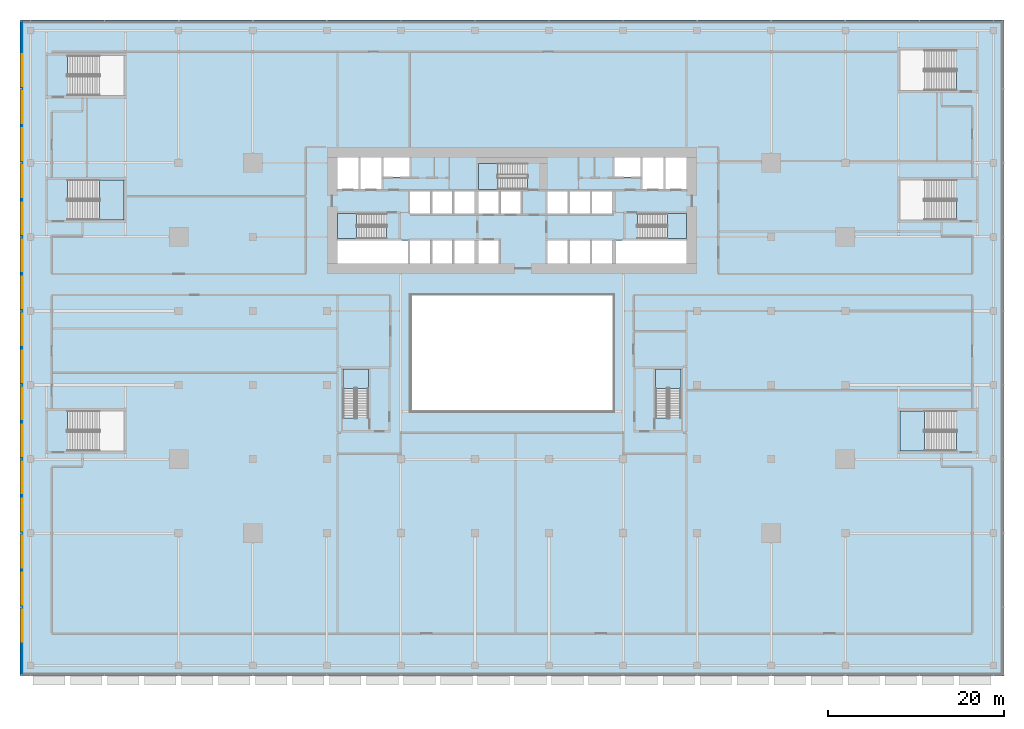
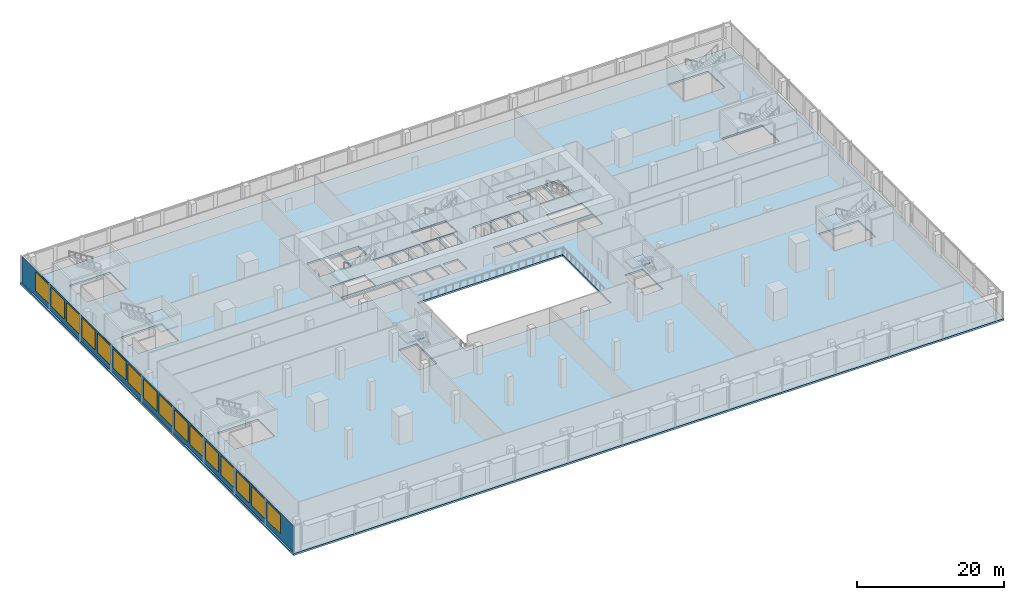
# One storey, part 23 of 39: 16 windows, 8 slabs, 1 plate, 16 openings, 8 elements without a shape of their own.
"""IFC4 building model written with IfcOpenShell, lengths in metres."""

from ifc_helpers import new_model, si_unit, direction, frame, frame_2d, origin, place, context, subcontext, project, spatial, polyline, rectangle, outline, extrude, material, layer, layer_set, type_object, element, fill, aggregate, save


model = new_model("IFC4")

# Units and contexts
model_context = context("Model", 3, precision=1e-05, world=origin(), true_north=direction((0.0, 1.0)))
body_context = subcontext(model_context, "Body", "Model", "MODEL_VIEW")
ifc_project = project(units=[si_unit("LENGTHUNIT", "METRE"), si_unit("AREAUNIT", "SQUARE_METRE"), si_unit("VOLUMEUNIT", "CUBIC_METRE"), si_unit("PLANEANGLEUNIT", "RADIAN"), si_unit("MASSUNIT", "GRAM", prefix="KILO")], contexts=[model_context])

# Site, building, storey
site_placement = place(None, origin())
site = spatial("IfcSite", under=ifc_project, at=site_placement, CompositionType="ELEMENT")
building_placement = place(site_placement, origin())
building = spatial("IfcBuilding", under=site, at=building_placement, Name="Saffron Gate Tower", CompositionType="ELEMENT")
storey_placement = place(building_placement, frame((0.0, 0.0, 14.39990234375)))
storey = spatial("IfcBuildingStorey", under=building, at=storey_placement, Name="L02", CompositionType="ELEMENT", Elevation=14.39990234375)

# Curtain wall, plate, openings, windows
ifc_material_1 = material(Name="Aluminium, bronze anodised", Category="aluminium")
curtain_wall_type = type_object("IfcCurtainWallType", Name="CWS5 curtain wall podium ring base", PredefinedType="NOTDEFINED", material=ifc_material_1)
curtain_wall_placement = place(storey_placement, origin())
curtain_wall = element("IfcCurtainWall", 1, at=curtain_wall_placement, inside=storey, type_object=curtain_wall_type, Name="CWS5 run 4", PredefinedType="NOTDEFINED")
ifc_material_2 = material(Name="Clear low-iron laminated glass", Category="glass")
ifc_layer_1 = layer(ifc_material_2, 0.028076171875)
ifc_layer_set_1 = layer_set([ifc_layer_1], Name="CWS5 fixed glass")
plate_type = type_object("IfcPlateType", Name="CWS5 fixed glass", PredefinedType="CURTAIN_PANEL", material=ifc_layer_set_1)
plate_placement = place(storey_placement, frame((32.013916015625, 89.77197265625, 0.0), z_axis=(0.0, 0.0, 1.0), x_axis=(0.0, -1.0, 0.0)))
plate = element("IfcPlate", 2, at=plate_placement, type_object=plate_type, Name="CWS5 glass panel", PredefinedType="CURTAIN_PANEL", context=body_context, shape_type="SweptSolid", body=[
    extrude(rectangle(XDim=73.944091796875, YDim=0.028076171875, at=frame_2d((36.97216796875, 0.0))), origin(), (0.0, 0.0, 1.0), 4.380126953125),
])
opening_1_placement = place(plate_placement, frame((3.672119140625, 0.0, 0.89990234375)))
opening_1 = element("IfcOpeningElement", 3, at=opening_1_placement, cuts=plate, Name="Opening W5", PredefinedType="OPENING", context=body_context, shape_type="SweptSolid", body=[
    extrude(rectangle(XDim=3.60009765625, YDim=3.1298828125, at=frame_2d((1.800048828125, 1.56494140625))), frame((0.0, 0.02392578125, 0.0), z_axis=(0.0, -1.0, 0.0), x_axis=(1.0, 0.0, 0.0)), (0.0, 0.0, 1.0), 0.048095703125),
])
opening_2_placement = place(plate_placement, frame((7.8720703125, 0.0, 0.89990234375)))
opening_2 = element("IfcOpeningElement", 4, at=opening_2_placement, cuts=plate, Name="Opening W5", PredefinedType="OPENING", context=body_context, shape_type="SweptSolid", body=[
    extrude(rectangle(XDim=3.60009765625, YDim=3.1298828125, at=frame_2d((1.800048828125, 1.56494140625))), frame((0.0, 0.02392578125, 0.0), z_axis=(0.0, -1.0, 0.0), x_axis=(1.0, 0.0, 0.0)), (0.0, 0.0, 1.0), 0.048095703125),
])
opening_3_placement = place(plate_placement, frame((12.072021484375, 0.0, 0.89990234375)))
opening_3 = element("IfcOpeningElement", 5, at=opening_3_placement, cuts=plate, Name="Opening W5", PredefinedType="OPENING", context=body_context, shape_type="SweptSolid", body=[
    extrude(rectangle(XDim=3.60009765625, YDim=3.1298828125, at=frame_2d((1.800048828125, 1.56494140625))), frame((0.0, 0.02392578125, 0.0), z_axis=(0.0, -1.0, 0.0), x_axis=(1.0, 0.0, 0.0)), (0.0, 0.0, 1.0), 0.048095703125),
])
opening_4_placement = place(plate_placement, frame((16.27197265625, 0.0, 0.89990234375)))
opening_4 = element("IfcOpeningElement", 6, at=opening_4_placement, cuts=plate, Name="Opening W5", PredefinedType="OPENING", context=body_context, shape_type="SweptSolid", body=[
    extrude(rectangle(XDim=3.60009765625, YDim=3.1298828125, at=frame_2d((1.800048828125, 1.56494140625))), frame((0.0, 0.02392578125, 0.0), z_axis=(0.0, -1.0, 0.0), x_axis=(1.0, 0.0, 0.0)), (0.0, 0.0, 1.0), 0.048095703125),
])
opening_5_placement = place(plate_placement, frame((20.471923828125, 0.0, 0.89990234375)))
opening_5 = element("IfcOpeningElement", 7, at=opening_5_placement, cuts=plate, Name="Opening W5", PredefinedType="OPENING", context=body_context, shape_type="SweptSolid", body=[
    extrude(rectangle(XDim=3.60009765625, YDim=3.1298828125, at=frame_2d((1.800048828125, 1.56494140625))), frame((0.0, 0.02392578125, 0.0), z_axis=(0.0, -1.0, 0.0), x_axis=(1.0, 0.0, 0.0)), (0.0, 0.0, 1.0), 0.048095703125),
])
opening_6_placement = place(plate_placement, frame((24.672119140625, 0.0, 0.89990234375)))
opening_6 = element("IfcOpeningElement", 8, at=opening_6_placement, cuts=plate, Name="Opening W5", PredefinedType="OPENING", context=body_context, shape_type="SweptSolid", body=[
    extrude(rectangle(XDim=3.60009765625, YDim=3.1298828125, at=frame_2d((1.800048828125, 1.56494140625))), frame((0.0, 0.02392578125, 0.0), z_axis=(0.0, -1.0, 0.0), x_axis=(1.0, 0.0, 0.0)), (0.0, 0.0, 1.0), 0.048095703125),
])
opening_7_placement = place(plate_placement, frame((28.8720703125, 0.0, 0.89990234375)))
opening_7 = element("IfcOpeningElement", 9, at=opening_7_placement, cuts=plate, Name="Opening W5", PredefinedType="OPENING", context=body_context, shape_type="SweptSolid", body=[
    extrude(rectangle(XDim=3.60009765625, YDim=3.1298828125, at=frame_2d((1.800048828125, 1.56494140625))), frame((0.0, 0.02392578125, 0.0), z_axis=(0.0, -1.0, 0.0), x_axis=(1.0, 0.0, 0.0)), (0.0, 0.0, 1.0), 0.048095703125),
])
opening_8_placement = place(plate_placement, frame((33.072021484375, 0.0, 0.89990234375)))
opening_8 = element("IfcOpeningElement", 10, at=opening_8_placement, cuts=plate, Name="Opening W5", PredefinedType="OPENING", context=body_context, shape_type="SweptSolid", body=[
    extrude(rectangle(XDim=3.60009765625, YDim=3.1298828125, at=frame_2d((1.800048828125, 1.56494140625))), frame((0.0, 0.02392578125, 0.0), z_axis=(0.0, -1.0, 0.0), x_axis=(1.0, 0.0, 0.0)), (0.0, 0.0, 1.0), 0.048095703125),
])
opening_9_placement = place(plate_placement, frame((37.27197265625, 0.0, 0.89990234375)))
opening_9 = element("IfcOpeningElement", 11, at=opening_9_placement, cuts=plate, Name="Opening W5", PredefinedType="OPENING", context=body_context, shape_type="SweptSolid", body=[
    extrude(rectangle(XDim=3.60009765625, YDim=3.1298828125, at=frame_2d((1.800048828125, 1.56494140625))), frame((0.0, 0.02392578125, 0.0), z_axis=(0.0, -1.0, 0.0), x_axis=(1.0, 0.0, 0.0)), (0.0, 0.0, 1.0), 0.048095703125),
])
opening_10_placement = place(plate_placement, frame((41.471923828125, 0.0, 0.89990234375)))
opening_10 = element("IfcOpeningElement", 12, at=opening_10_placement, cuts=plate, Name="Opening W5", PredefinedType="OPENING", context=body_context, shape_type="SweptSolid", body=[
    extrude(rectangle(XDim=3.60009765625, YDim=3.1298828125, at=frame_2d((1.800048828125, 1.56494140625))), frame((0.0, 0.02392578125, 0.0), z_axis=(0.0, -1.0, 0.0), x_axis=(1.0, 0.0, 0.0)), (0.0, 0.0, 1.0), 0.048095703125),
])
opening_11_placement = place(plate_placement, frame((45.672119140625, 0.0, 0.89990234375)))
opening_11 = element("IfcOpeningElement", 13, at=opening_11_placement, cuts=plate, Name="Opening W5", PredefinedType="OPENING", context=body_context, shape_type="SweptSolid", body=[
    extrude(rectangle(XDim=3.60009765625, YDim=3.1298828125, at=frame_2d((1.800048828125, 1.56494140625))), frame((0.0, 0.02392578125, 0.0), z_axis=(0.0, -1.0, 0.0), x_axis=(1.0, 0.0, 0.0)), (0.0, 0.0, 1.0), 0.048095703125),
])
opening_12_placement = place(plate_placement, frame((49.8720703125, 0.0, 0.89990234375)))
opening_12 = element("IfcOpeningElement", 14, at=opening_12_placement, cuts=plate, Name="Opening W5", PredefinedType="OPENING", context=body_context, shape_type="SweptSolid", body=[
    extrude(rectangle(XDim=3.60009765625, YDim=3.1298828125, at=frame_2d((1.800048828125, 1.56494140625))), frame((0.0, 0.02392578125, 0.0), z_axis=(0.0, -1.0, 0.0), x_axis=(1.0, 0.0, 0.0)), (0.0, 0.0, 1.0), 0.048095703125),
])
opening_13_placement = place(plate_placement, frame((54.072021484375, 0.0, 0.89990234375)))
opening_13 = element("IfcOpeningElement", 15, at=opening_13_placement, cuts=plate, Name="Opening W5", PredefinedType="OPENING", context=body_context, shape_type="SweptSolid", body=[
    extrude(rectangle(XDim=3.60009765625, YDim=3.1298828125, at=frame_2d((1.800048828125, 1.56494140625))), frame((0.0, 0.02392578125, 0.0), z_axis=(0.0, -1.0, 0.0), x_axis=(1.0, 0.0, 0.0)), (0.0, 0.0, 1.0), 0.048095703125),
])
opening_14_placement = place(plate_placement, frame((58.27197265625, 0.0, 0.89990234375)))
opening_14 = element("IfcOpeningElement", 16, at=opening_14_placement, cuts=plate, Name="Opening W5", PredefinedType="OPENING", context=body_context, shape_type="SweptSolid", body=[
    extrude(rectangle(XDim=3.60009765625, YDim=3.1298828125, at=frame_2d((1.800048828125, 1.56494140625))), frame((0.0, 0.02392578125, 0.0), z_axis=(0.0, -1.0, 0.0), x_axis=(1.0, 0.0, 0.0)), (0.0, 0.0, 1.0), 0.048095703125),
])
opening_15_placement = place(plate_placement, frame((62.471923828125, 0.0, 0.89990234375)))
opening_15 = element("IfcOpeningElement", 17, at=opening_15_placement, cuts=plate, Name="Opening W5", PredefinedType="OPENING", context=body_context, shape_type="SweptSolid", body=[
    extrude(rectangle(XDim=3.60009765625, YDim=3.1298828125, at=frame_2d((1.800048828125, 1.56494140625))), frame((0.0, 0.02392578125, 0.0), z_axis=(0.0, -1.0, 0.0), x_axis=(1.0, 0.0, 0.0)), (0.0, 0.0, 1.0), 0.048095703125),
])
opening_16_placement = place(plate_placement, frame((66.672119140625, 0.0, 0.89990234375)))
opening_16 = element("IfcOpeningElement", 18, at=opening_16_placement, cuts=plate, Name="Opening W5", PredefinedType="OPENING", context=body_context, shape_type="SweptSolid", body=[
    extrude(rectangle(XDim=3.60009765625, YDim=3.1298828125, at=frame_2d((1.800048828125, 1.56494140625))), frame((0.0, 0.02392578125, 0.0), z_axis=(0.0, -1.0, 0.0), x_axis=(1.0, 0.0, 0.0)), (0.0, 0.0, 1.0), 0.048095703125),
])
ifc_material_3 = material(Name="Fritted bronze-tinted laminated glass in bronze frame", Category="glass")
ifc_layer_2 = layer(ifc_material_3, 0.06005859375)
ifc_layer_set_2 = layer_set([ifc_layer_2], Name="W5 operable panel 3600x3130")
window_type = type_object("IfcWindowType", Name="W5 operable panel 3600x3130", PartitioningType="DOUBLE_PANEL_HORIZONTAL", PredefinedType="WINDOW", material=ifc_layer_set_2)
window_1_placement = place(opening_1_placement, origin())
window_1 = element("IfcWindow", 19, at=window_1_placement, type_object=window_type, Name="W5 operable panel", OverallHeight=3.1298828125, OverallWidth=3.60009765625, PartitioningType="SINGLE_PANEL", PredefinedType="WINDOW", context=body_context, shape_type="SweptSolid", body=[
    extrude(rectangle(XDim=3.60009765625, YDim=3.1298828125, at=frame_2d((1.800048828125, 1.56494140625))), frame((0.0, 0.013671875, 0.0), z_axis=(0.0, -1.0, 0.0), x_axis=(1.0, 0.0, 0.0)), (0.0, 0.0, 1.0), 0.027587890625),
])
fill(opening_1, window_1)
window_2_placement = place(opening_2_placement, origin())
window_2 = element("IfcWindow", 20, at=window_2_placement, type_object=window_type, Name="W5 operable panel", OverallHeight=3.1298828125, OverallWidth=3.60009765625, PartitioningType="SINGLE_PANEL", PredefinedType="WINDOW", context=body_context, shape_type="SweptSolid", body=[
    extrude(rectangle(XDim=3.60009765625, YDim=3.1298828125, at=frame_2d((1.800048828125, 1.56494140625))), frame((0.0, 0.013671875, 0.0), z_axis=(0.0, -1.0, 0.0), x_axis=(1.0, 0.0, 0.0)), (0.0, 0.0, 1.0), 0.027587890625),
])
fill(opening_2, window_2)
window_3_placement = place(opening_3_placement, origin())
window_3 = element("IfcWindow", 21, at=window_3_placement, type_object=window_type, Name="W5 operable panel", OverallHeight=3.1298828125, OverallWidth=3.60009765625, PartitioningType="SINGLE_PANEL", PredefinedType="WINDOW", context=body_context, shape_type="SweptSolid", body=[
    extrude(rectangle(XDim=3.60009765625, YDim=3.1298828125, at=frame_2d((1.800048828125, 1.56494140625))), frame((0.0, 0.013671875, 0.0), z_axis=(0.0, -1.0, 0.0), x_axis=(1.0, 0.0, 0.0)), (0.0, 0.0, 1.0), 0.027587890625),
])
fill(opening_3, window_3)
window_4_placement = place(opening_4_placement, origin())
window_4 = element("IfcWindow", 22, at=window_4_placement, type_object=window_type, Name="W5 operable panel", OverallHeight=3.1298828125, OverallWidth=3.60009765625, PartitioningType="SINGLE_PANEL", PredefinedType="WINDOW", context=body_context, shape_type="SweptSolid", body=[
    extrude(rectangle(XDim=3.60009765625, YDim=3.1298828125, at=frame_2d((1.800048828125, 1.56494140625))), frame((0.0, 0.013671875, 0.0), z_axis=(0.0, -1.0, 0.0), x_axis=(1.0, 0.0, 0.0)), (0.0, 0.0, 1.0), 0.027587890625),
])
fill(opening_4, window_4)
window_5_placement = place(opening_5_placement, origin())
window_5 = element("IfcWindow", 23, at=window_5_placement, type_object=window_type, Name="W5 operable panel", OverallHeight=3.1298828125, OverallWidth=3.60009765625, PartitioningType="SINGLE_PANEL", PredefinedType="WINDOW", context=body_context, shape_type="SweptSolid", body=[
    extrude(rectangle(XDim=3.60009765625, YDim=3.1298828125, at=frame_2d((1.800048828125, 1.56494140625))), frame((0.0, 0.013671875, 0.0), z_axis=(0.0, -1.0, 0.0), x_axis=(1.0, 0.0, 0.0)), (0.0, 0.0, 1.0), 0.027587890625),
])
fill(opening_5, window_5)
window_6_placement = place(opening_6_placement, origin())
window_6 = element("IfcWindow", 24, at=window_6_placement, type_object=window_type, Name="W5 operable panel", OverallHeight=3.1298828125, OverallWidth=3.60009765625, PartitioningType="SINGLE_PANEL", PredefinedType="WINDOW", context=body_context, shape_type="SweptSolid", body=[
    extrude(rectangle(XDim=3.60009765625, YDim=3.1298828125, at=frame_2d((1.800048828125, 1.56494140625))), frame((0.0, 0.013671875, 0.0), z_axis=(0.0, -1.0, 0.0), x_axis=(1.0, 0.0, 0.0)), (0.0, 0.0, 1.0), 0.027587890625),
])
fill(opening_6, window_6)
window_7_placement = place(opening_7_placement, origin())
window_7 = element("IfcWindow", 25, at=window_7_placement, type_object=window_type, Name="W5 operable panel", OverallHeight=3.1298828125, OverallWidth=3.60009765625, PartitioningType="SINGLE_PANEL", PredefinedType="WINDOW", context=body_context, shape_type="SweptSolid", body=[
    extrude(rectangle(XDim=3.60009765625, YDim=3.1298828125, at=frame_2d((1.800048828125, 1.56494140625))), frame((0.0, 0.013671875, 0.0), z_axis=(0.0, -1.0, 0.0), x_axis=(1.0, 0.0, 0.0)), (0.0, 0.0, 1.0), 0.027587890625),
])
fill(opening_7, window_7)
window_8_placement = place(opening_8_placement, origin())
window_8 = element("IfcWindow", 26, at=window_8_placement, type_object=window_type, Name="W5 operable panel", OverallHeight=3.1298828125, OverallWidth=3.60009765625, PartitioningType="SINGLE_PANEL", PredefinedType="WINDOW", context=body_context, shape_type="SweptSolid", body=[
    extrude(rectangle(XDim=3.60009765625, YDim=3.1298828125, at=frame_2d((1.800048828125, 1.56494140625))), frame((0.0, 0.013671875, 0.0), z_axis=(0.0, -1.0, 0.0), x_axis=(1.0, 0.0, 0.0)), (0.0, 0.0, 1.0), 0.027587890625),
])
fill(opening_8, window_8)
window_9_placement = place(opening_9_placement, origin())
window_9 = element("IfcWindow", 27, at=window_9_placement, type_object=window_type, Name="W5 operable panel", OverallHeight=3.1298828125, OverallWidth=3.60009765625, PartitioningType="SINGLE_PANEL", PredefinedType="WINDOW", context=body_context, shape_type="SweptSolid", body=[
    extrude(rectangle(XDim=3.60009765625, YDim=3.1298828125, at=frame_2d((1.800048828125, 1.56494140625))), frame((0.0, 0.013671875, 0.0), z_axis=(0.0, -1.0, 0.0), x_axis=(1.0, 0.0, 0.0)), (0.0, 0.0, 1.0), 0.027587890625),
])
fill(opening_9, window_9)
window_10_placement = place(opening_10_placement, origin())
window_10 = element("IfcWindow", 28, at=window_10_placement, type_object=window_type, Name="W5 operable panel", OverallHeight=3.1298828125, OverallWidth=3.60009765625, PartitioningType="SINGLE_PANEL", PredefinedType="WINDOW", context=body_context, shape_type="SweptSolid", body=[
    extrude(rectangle(XDim=3.60009765625, YDim=3.1298828125, at=frame_2d((1.800048828125, 1.56494140625))), frame((0.0, 0.013671875, 0.0), z_axis=(0.0, -1.0, 0.0), x_axis=(1.0, 0.0, 0.0)), (0.0, 0.0, 1.0), 0.027587890625),
])
fill(opening_10, window_10)
window_11_placement = place(opening_11_placement, origin())
window_11 = element("IfcWindow", 29, at=window_11_placement, type_object=window_type, Name="W5 operable panel", OverallHeight=3.1298828125, OverallWidth=3.60009765625, PartitioningType="SINGLE_PANEL", PredefinedType="WINDOW", context=body_context, shape_type="SweptSolid", body=[
    extrude(rectangle(XDim=3.60009765625, YDim=3.1298828125, at=frame_2d((1.800048828125, 1.56494140625))), frame((0.0, 0.013671875, 0.0), z_axis=(0.0, -1.0, 0.0), x_axis=(1.0, 0.0, 0.0)), (0.0, 0.0, 1.0), 0.027587890625),
])
fill(opening_11, window_11)
window_12_placement = place(opening_12_placement, origin())
window_12 = element("IfcWindow", 30, at=window_12_placement, type_object=window_type, Name="W5 operable panel", OverallHeight=3.1298828125, OverallWidth=3.60009765625, PartitioningType="SINGLE_PANEL", PredefinedType="WINDOW", context=body_context, shape_type="SweptSolid", body=[
    extrude(rectangle(XDim=3.60009765625, YDim=3.1298828125, at=frame_2d((1.800048828125, 1.56494140625))), frame((0.0, 0.013671875, 0.0), z_axis=(0.0, -1.0, 0.0), x_axis=(1.0, 0.0, 0.0)), (0.0, 0.0, 1.0), 0.027587890625),
])
fill(opening_12, window_12)
window_13_placement = place(opening_13_placement, origin())
window_13 = element("IfcWindow", 31, at=window_13_placement, type_object=window_type, Name="W5 operable panel", OverallHeight=3.1298828125, OverallWidth=3.60009765625, PartitioningType="SINGLE_PANEL", PredefinedType="WINDOW", context=body_context, shape_type="SweptSolid", body=[
    extrude(rectangle(XDim=3.60009765625, YDim=3.1298828125, at=frame_2d((1.800048828125, 1.56494140625))), frame((0.0, 0.013671875, 0.0), z_axis=(0.0, -1.0, 0.0), x_axis=(1.0, 0.0, 0.0)), (0.0, 0.0, 1.0), 0.027587890625),
])
fill(opening_13, window_13)
window_14_placement = place(opening_14_placement, origin())
window_14 = element("IfcWindow", 32, at=window_14_placement, type_object=window_type, Name="W5 operable panel", OverallHeight=3.1298828125, OverallWidth=3.60009765625, PartitioningType="SINGLE_PANEL", PredefinedType="WINDOW", context=body_context, shape_type="SweptSolid", body=[
    extrude(rectangle(XDim=3.60009765625, YDim=3.1298828125, at=frame_2d((1.800048828125, 1.56494140625))), frame((0.0, 0.013671875, 0.0), z_axis=(0.0, -1.0, 0.0), x_axis=(1.0, 0.0, 0.0)), (0.0, 0.0, 1.0), 0.027587890625),
])
fill(opening_14, window_14)
window_15_placement = place(opening_15_placement, origin())
window_15 = element("IfcWindow", 33, at=window_15_placement, type_object=window_type, Name="W5 operable panel", OverallHeight=3.1298828125, OverallWidth=3.60009765625, PartitioningType="SINGLE_PANEL", PredefinedType="WINDOW", context=body_context, shape_type="SweptSolid", body=[
    extrude(rectangle(XDim=3.60009765625, YDim=3.1298828125, at=frame_2d((1.800048828125, 1.56494140625))), frame((0.0, 0.013671875, 0.0), z_axis=(0.0, -1.0, 0.0), x_axis=(1.0, 0.0, 0.0)), (0.0, 0.0, 1.0), 0.027587890625),
])
fill(opening_15, window_15)
window_16_placement = place(opening_16_placement, origin())
window_16 = element("IfcWindow", 34, at=window_16_placement, type_object=window_type, Name="W5 operable panel", OverallHeight=3.1298828125, OverallWidth=3.60009765625, PartitioningType="SINGLE_PANEL", PredefinedType="WINDOW", context=body_context, shape_type="SweptSolid", body=[
    extrude(rectangle(XDim=3.60009765625, YDim=3.1298828125, at=frame_2d((1.800048828125, 1.56494140625))), frame((0.0, 0.013671875, 0.0), z_axis=(0.0, -1.0, 0.0), x_axis=(1.0, 0.0, 0.0)), (0.0, 0.0, 1.0), 0.027587890625),
])
fill(opening_16, window_16)
aggregate(curtain_wall, [plate, window_1, window_2, window_3, window_4, window_5, window_6, window_7, window_8, window_9, window_10, window_11, window_12, window_13, window_14, window_15, window_16])

# Slab
ifc_material_4 = material(Name="Concrete C40", Category="concrete")
ifc_layer_3 = layer(ifc_material_4, 0.300048828125)
ifc_layer_set_3 = layer_set([ifc_layer_3], Name="S3 FLOOR SLAB 300 CONCRETE C40")
slab_type_1 = type_object("IfcSlabType", Name="S3 FLOOR SLAB 300 CONCRETE C40", PredefinedType="FLOOR", material=ifc_layer_set_3)
slab_1_placement = place(storey_placement, frame((0.0, 0.0, -0.2998046875)))
element("IfcSlab", 35, at=slab_1_placement, inside=storey, type_object=slab_type_1, Name="S3 FLOOR SLAB", PredefinedType="FLOOR", context=body_context, shape_type="SweptSolid", body=[
    extrude(outline(polyline([(31.800048828125, 15.60009765625), (143.39990234375, 15.60009765625), (143.39990234375, 90.0), (31.800048828125, 90.0), (31.800048828125, 15.60009765625)]), holes=[polyline([(37.200927734375, 43.47509765625), (37.200927734375, 45.675048828125), (43.60009765625, 45.675048828125), (43.60009765625, 41.125), (37.300048828125, 41.125), (37.300048828125, 43.47509765625), (37.200927734375, 43.47509765625)]), polyline([(37.200927734375, 69.675048828125), (37.200927734375, 71.875), (43.60009765625, 71.875), (43.60009765625, 67.324951171875), (37.300048828125, 67.324951171875), (37.300048828125, 69.675048828125), (37.200927734375, 69.675048828125)]), polyline([(37.200927734375, 83.77490234375), (37.200927734375, 85.97509765625), (43.60009765625, 85.97509765625), (43.60009765625, 81.425048828125), (37.300048828125, 81.425048828125), (37.300048828125, 83.77490234375), (37.200927734375, 83.77490234375)]), polyline([(67.800048828125, 62.39990234375), (67.800048828125, 65.0), (75.800048828125, 65.0), (75.800048828125, 62.39990234375), (67.800048828125, 62.39990234375)]), polyline([(67.800048828125, 65.199951171875), (67.800048828125, 68.050048828125), (73.25, 68.050048828125), (73.25, 66.550048828125), (73.34912109375, 66.550048828125), (73.34912109375, 65.199951171875), (67.800048828125, 65.199951171875)]), polyline([(67.800048828125, 70.800048828125), (67.800048828125, 74.39990234375), (70.199951171875, 74.39990234375), (70.199951171875, 70.800048828125), (67.800048828125, 70.800048828125)]), polyline([(68.449951171875, 44.85107421875), (68.449951171875, 50.39990234375), (71.300048828125, 50.39990234375), (71.300048828125, 44.949951171875), (69.800048828125, 44.949951171875), (69.800048828125, 44.85107421875), (68.449951171875, 44.85107421875)]), polyline([(70.39990234375, 70.800048828125), (70.39990234375, 74.39990234375), (72.800048828125, 74.39990234375), (72.800048828125, 70.800048828125), (70.39990234375, 70.800048828125)]), polyline([(73.0, 72.199951171875), (73.0, 74.39990234375), (76.0, 74.39990234375), (76.0, 72.199951171875), (73.0, 72.199951171875)]), polyline([(76.050048828125, 62.39990234375), (76.050048828125, 65.0), (78.35009765625, 65.0), (78.35009765625, 62.39990234375), (76.050048828125, 62.39990234375)]), polyline([(76.050048828125, 68.0), (76.050048828125, 70.60009765625), (78.35009765625, 70.60009765625), (78.35009765625, 68.0), (76.050048828125, 68.0)]), polyline([(76.199951171875, 45.60009765625), (76.199951171875, 58.800048828125), (99.0, 58.800048828125), (99.0, 45.60009765625), (76.199951171875, 45.60009765625)]), polyline([(78.550048828125, 62.39990234375), (78.550048828125, 65.0), (80.85009765625, 65.0), (80.85009765625, 62.39990234375), (78.550048828125, 62.39990234375)]), polyline([(78.550048828125, 68.0), (78.550048828125, 70.60009765625), (80.85009765625, 70.60009765625), (80.85009765625, 68.0), (78.550048828125, 68.0)]), polyline([(81.050048828125, 62.39990234375), (81.050048828125, 65.0), (83.35009765625, 65.0), (83.35009765625, 62.39990234375), (81.050048828125, 62.39990234375)]), polyline([(81.050048828125, 68.0), (81.050048828125, 70.60009765625), (83.35009765625, 70.60009765625), (83.35009765625, 68.0), (81.050048828125, 68.0)]), polyline([(83.800048828125, 62.39990234375), (83.800048828125, 65.0), (86.10009765625, 65.0), (86.10009765625, 62.39990234375), (83.800048828125, 62.39990234375)]), polyline([(83.800048828125, 68.0), (83.800048828125, 70.60009765625), (86.10009765625, 70.60009765625), (86.10009765625, 68.0), (83.800048828125, 68.0)]), polyline([(83.800048828125, 70.800048828125), (83.800048828125, 73.75), (89.25, 73.75), (89.25, 72.14990234375), (89.34912109375, 72.14990234375), (89.34912109375, 70.800048828125), (83.800048828125, 70.800048828125)]), polyline([(86.300048828125, 68.0), (86.300048828125, 70.60009765625), (88.60009765625, 70.60009765625), (88.60009765625, 68.0), (86.300048828125, 68.0)]), polyline([(91.64990234375, 62.39990234375), (91.64990234375, 65.0), (93.949951171875, 65.0), (93.949951171875, 62.39990234375), (91.64990234375, 62.39990234375)]), polyline([(91.64990234375, 68.0), (91.64990234375, 70.60009765625), (93.949951171875, 70.60009765625), (93.949951171875, 68.0), (91.64990234375, 68.0)]), polyline([(94.14990234375, 62.39990234375), (94.14990234375, 65.0), (96.449951171875, 65.0), (96.449951171875, 62.39990234375), (94.14990234375, 62.39990234375)]), polyline([(94.14990234375, 68.0), (94.14990234375, 70.60009765625), (96.449951171875, 70.60009765625), (96.449951171875, 68.0), (94.14990234375, 68.0)]), polyline([(96.64990234375, 62.39990234375), (96.64990234375, 65.0), (98.949951171875, 65.0), (98.949951171875, 62.39990234375), (96.64990234375, 62.39990234375)]), polyline([(96.64990234375, 68.0), (96.64990234375, 70.60009765625), (98.949951171875, 70.60009765625), (98.949951171875, 68.0), (96.64990234375, 68.0)]), polyline([(99.199951171875, 72.199951171875), (99.199951171875, 74.39990234375), (102.199951171875, 74.39990234375), (102.199951171875, 72.199951171875), (99.199951171875, 72.199951171875)]), polyline([(99.39990234375, 62.39990234375), (99.39990234375, 65.0), (107.39990234375, 65.0), (107.39990234375, 62.39990234375), (99.39990234375, 62.39990234375)]), polyline([(101.85107421875, 66.699951171875), (101.85107421875, 68.050048828125), (107.39990234375, 68.050048828125), (107.39990234375, 65.199951171875), (101.949951171875, 65.199951171875), (101.949951171875, 66.699951171875), (101.85107421875, 66.699951171875)]), polyline([(102.39990234375, 70.800048828125), (102.39990234375, 74.39990234375), (104.800048828125, 74.39990234375), (104.800048828125, 70.800048828125), (102.39990234375, 70.800048828125)]), polyline([(103.89990234375, 44.85107421875), (103.89990234375, 50.39990234375), (106.75, 50.39990234375), (106.75, 44.949951171875), (105.25, 44.949951171875), (105.25, 44.85107421875), (103.89990234375, 44.85107421875)]), polyline([(105.0, 70.800048828125), (105.0, 74.39990234375), (107.39990234375, 74.39990234375), (107.39990234375, 70.800048828125), (105.0, 70.800048828125)]), polyline([(131.60009765625, 41.125), (131.60009765625, 45.675048828125), (137.89990234375, 45.675048828125), (137.89990234375, 43.324951171875), (137.9990234375, 43.324951171875), (137.9990234375, 41.125), (131.60009765625, 41.125)]), polyline([(131.60009765625, 67.324951171875), (131.60009765625, 71.875), (137.89990234375, 71.875), (137.89990234375, 69.52490234375), (137.9990234375, 69.52490234375), (137.9990234375, 67.324951171875), (131.60009765625, 67.324951171875)]), polyline([(131.60009765625, 82.02490234375), (131.60009765625, 86.574951171875), (137.89990234375, 86.574951171875), (137.89990234375, 84.22509765625), (137.9990234375, 84.22509765625), (137.9990234375, 82.02490234375), (131.60009765625, 82.02490234375)])]), origin(), (0.0, 0.0, 1.0), 0.2998046875),
])

# Stair, slab
stair_type_1 = type_object("IfcStairType", Name="ST5 Stair 1350 wide, 26 risers of 185", PredefinedType="HALF_TURN_STAIR", material=ifc_material_4)
stair_1_placement = place(storey_placement, origin())
stair_1 = element("IfcStair", 36, at=stair_1_placement, inside=storey, type_object=stair_type_1, Name="L02 Exit stair A", PredefinedType="HALF_TURN_STAIR")
ifc_layer_4 = layer(ifc_material_4, 0.199951171875)
ifc_layer_set_4 = layer_set([ifc_layer_4], Name="SL1 Stair landing 200")
slab_type_2 = type_object("IfcSlabType", Name="SL1 Stair landing 200", PredefinedType="LANDING", material=ifc_layer_set_4)
slab_2_placement = place(storey_placement, frame((0.0, 0.0, 2.2001953125)))
slab_2 = element("IfcSlab", 37, at=slab_2_placement, type_object=slab_type_2, Name="ST-A landing 1", PredefinedType="LANDING", context=body_context, shape_type="SweptSolid", body=[
    extrude(outline(polyline([(69.989990234375, 68.050048828125), (67.800048828125, 68.050048828125), (67.800048828125, 65.199951171875), (69.989990234375, 65.199951171875), (69.989990234375, 68.050048828125)])), origin(), (0.0, 0.0, 1.0), 0.199951171875),
])
aggregate(stair_1, [slab_2])

stair_2_placement = place(storey_placement, origin())
stair_2 = element("IfcStair", 38, at=stair_2_placement, inside=storey, type_object=stair_type_1, Name="L02 Exit stair B", PredefinedType="HALF_TURN_STAIR")
slab_3_placement = place(storey_placement, frame((0.0, 0.0, 2.2001953125)))
slab_3 = element("IfcSlab", 39, at=slab_3_placement, type_object=slab_type_2, Name="ST-B landing 1", PredefinedType="LANDING", context=body_context, shape_type="SweptSolid", body=[
    extrude(outline(polyline([(105.2099609375, 65.199951171875), (107.39990234375, 65.199951171875), (107.39990234375, 68.050048828125), (105.2099609375, 68.050048828125), (105.2099609375, 65.199951171875)])), origin(), (0.0, 0.0, 1.0), 0.199951171875),
])
aggregate(stair_2, [slab_3])

stair_3_placement = place(storey_placement, origin())
stair_3 = element("IfcStair", 40, at=stair_3_placement, inside=storey, type_object=stair_type_1, Name="L02 Exit stair C", PredefinedType="HALF_TURN_STAIR")
slab_4_placement = place(storey_placement, frame((0.0, 0.0, 2.2001953125)))
slab_4 = element("IfcSlab", 41, at=slab_4_placement, type_object=slab_type_2, Name="ST-C landing 1", PredefinedType="LANDING", context=body_context, shape_type="SweptSolid", body=[
    extrude(outline(polyline([(85.989990234375, 73.75), (83.800048828125, 73.75), (83.800048828125, 70.800048828125), (85.989990234375, 70.800048828125), (85.989990234375, 73.75)])), origin(), (0.0, 0.0, 1.0), 0.199951171875),
])
aggregate(stair_3, [slab_4])

stair_4_placement = place(storey_placement, origin())
stair_4 = element("IfcStair", 42, at=stair_4_placement, inside=storey, type_object=stair_type_1, Name="L02 Exit stair D", PredefinedType="HALF_TURN_STAIR")
slab_5_placement = place(storey_placement, frame((0.0, 0.0, 2.2001953125)))
slab_5 = element("IfcSlab", 43, at=slab_5_placement, type_object=slab_type_2, Name="ST-D landing 1", PredefinedType="LANDING", context=body_context, shape_type="SweptSolid", body=[
    extrude(outline(polyline([(71.300048828125, 48.2099609375), (71.300048828125, 50.39990234375), (68.449951171875, 50.39990234375), (68.449951171875, 48.2099609375), (71.300048828125, 48.2099609375)])), origin(), (0.0, 0.0, 1.0), 0.199951171875),
])
aggregate(stair_4, [slab_5])

stair_5_placement = place(storey_placement, origin())
stair_5 = element("IfcStair", 44, at=stair_5_placement, inside=storey, type_object=stair_type_1, Name="L02 Exit stair E", PredefinedType="HALF_TURN_STAIR")
slab_6_placement = place(storey_placement, frame((0.0, 0.0, 2.2001953125)))
slab_6 = element("IfcSlab", 45, at=slab_6_placement, type_object=slab_type_2, Name="ST-E landing 1", PredefinedType="LANDING", context=body_context, shape_type="SweptSolid", body=[
    extrude(outline(polyline([(106.75, 48.2099609375), (106.75, 50.39990234375), (103.89990234375, 50.39990234375), (103.89990234375, 48.2099609375), (106.75, 48.2099609375)])), origin(), (0.0, 0.0, 1.0), 0.199951171875),
])
aggregate(stair_5, [slab_6])

stair_type_2 = type_object("IfcStairType", Name="ST11 Stair 2200 wide, 28 risers of 171", PredefinedType="HALF_TURN_STAIR", material=ifc_material_4)
stair_6_placement = place(storey_placement, origin())
stair_6 = element("IfcStair", 46, at=stair_6_placement, inside=storey, type_object=stair_type_2, Name="L02 Exit stair G", PredefinedType="HALF_TURN_STAIR")
slab_7_placement = place(storey_placement, frame((0.0, 0.0, 2.2001953125)))
slab_7 = element("IfcSlab", 47, at=slab_7_placement, type_object=slab_type_2, Name="ST-G landing 1", PredefinedType="LANDING", context=body_context, shape_type="SweptSolid", body=[
    extrude(outline(polyline([(40.840087890625, 67.324951171875), (43.60009765625, 67.324951171875), (43.60009765625, 71.875), (40.840087890625, 71.875), (40.840087890625, 67.324951171875)])), origin(), (0.0, 0.0, 1.0), 0.199951171875),
])
aggregate(stair_6, [slab_7])

stair_7_placement = place(storey_placement, origin())
stair_7 = element("IfcStair", 48, at=stair_7_placement, inside=storey, type_object=stair_type_2, Name="L02 Exit stair K", PredefinedType="HALF_TURN_STAIR")
slab_8_placement = place(storey_placement, frame((0.0, 0.0, 2.2001953125)))
slab_8 = element("IfcSlab", 49, at=slab_8_placement, type_object=slab_type_2, Name="ST-K landing 1", PredefinedType="LANDING", context=body_context, shape_type="SweptSolid", body=[
    extrude(outline(polyline([(134.360107421875, 45.675048828125), (131.60009765625, 45.675048828125), (131.60009765625, 41.125), (134.360107421875, 41.125), (134.360107421875, 45.675048828125)])), origin(), (0.0, 0.0, 1.0), 0.199951171875),
])
aggregate(stair_7, [slab_8])

save(model, "model.ifc")
